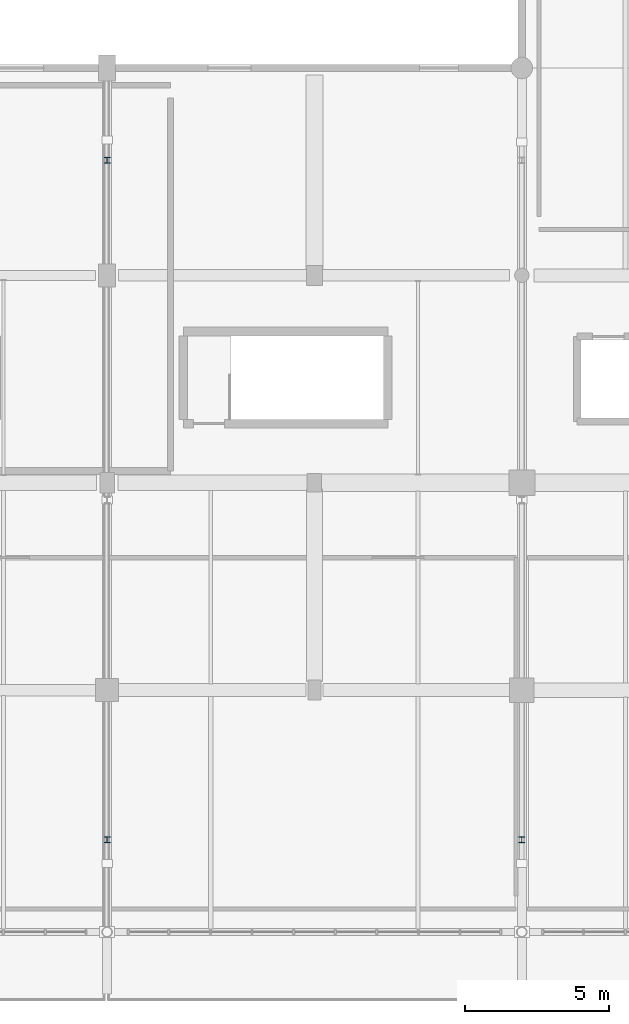
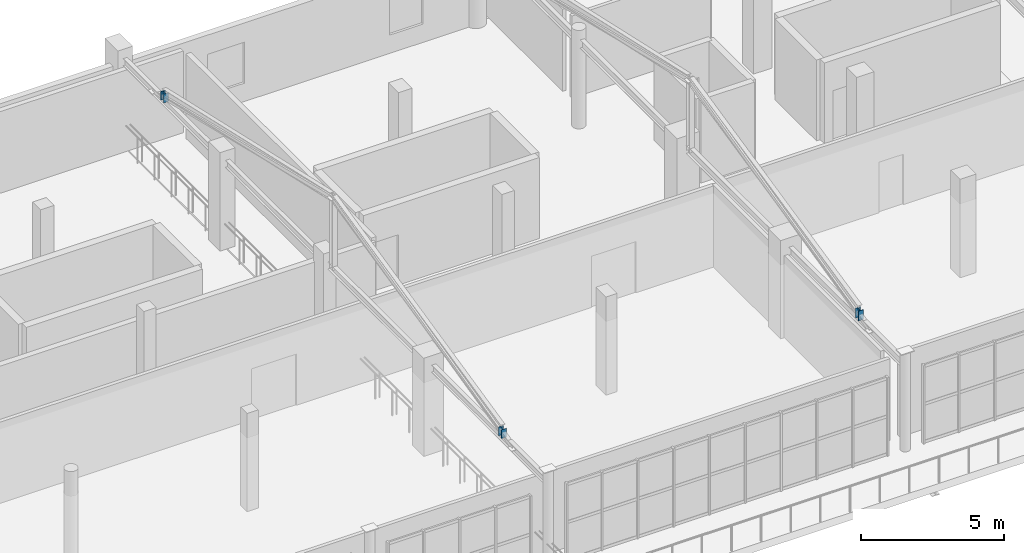
# One storey, part 18 of 41: 3 members.
"""IFC4 building model written with IfcOpenShell, lengths in metres."""

from ifc_helpers import new_model, si_unit, direction, frame, origin, origin_2d, place, context, subcontext, project, spatial, i_section, extrude, material, material_profile, profile_set, type_object, element, save


model = new_model("IFC4")

# Units and contexts
model_context = context("Model", 3, precision=1e-05, world=origin(), true_north=direction((0.0, 1.0)))
body_context = subcontext(model_context, "Body", "Model", "MODEL_VIEW")
ifc_project = project(units=[si_unit("LENGTHUNIT", "METRE"), si_unit("AREAUNIT", "SQUARE_METRE"), si_unit("VOLUMEUNIT", "CUBIC_METRE"), si_unit("PLANEANGLEUNIT", "RADIAN"), si_unit("MASSUNIT", "GRAM", prefix="KILO")], contexts=[model_context])

# Site, building, storey
site_placement = place(None, origin())
site = spatial("IfcSite", under=ifc_project, at=site_placement, CompositionType="ELEMENT")
building_placement = place(site_placement, origin())
building = spatial("IfcBuilding", under=site, at=building_placement, Name="Solanera Park Tramway Depot", CompositionType="ELEMENT")
storey_placement = place(building_placement, frame((0.0, 0.0, 13.199951171875)))
storey = spatial("IfcBuildingStorey", under=building, at=storey_placement, Name="L03", CompositionType="ELEMENT", Elevation=13.199951171875)

# Members
ifc_material = material(Name="Steel AS/NZS 3679.1 Grade 350", Category="steel")
ifc_material_profile = material_profile(ifc_material, i_section(OverallWidth=0.205078125, OverallDepth=0.209716796875, WebThickness=0.00927734375, FlangeThickness=0.01416015625, at=origin_2d()), Name="200UC59.5")
ifc_profile_set = profile_set([ifc_material_profile], Name="Steel AS/NZS 3679.1 Grade 350")
member_type = type_object("IfcMemberType", Name="Roof Gantry Compression Strut 200UC59.5", PredefinedType="STRUT", material=ifc_profile_set)
for number, where, z_axis, x_axis, name in (
    (1, (151.199951171875, 5.60009765625, 3.646484375), (0.0, 0.0, 1.0), (1.0, 0.0, 0.0), "Hip ROOF TRUSS Heel Post #0128"),
    (2, (151.199951171875, 29.199951171875, 3.646484375), (0.0, 0.0, 1.0), (1.0, 0.0, 0.0), "Hip ROOF TRUSS Heel Post #0129"),
):
    element("IfcMember", number, at=place(storey_placement, frame(where, z_axis=z_axis, x_axis=x_axis)), inside=storey, type_object=member_type, Name=name, PredefinedType="STRUT", context=body_context, shape_type="SweptSolid", body=[
        extrude(i_section(OverallWidth=0.205078125, OverallDepth=0.209716796875, WebThickness=0.00927734375, FlangeThickness=0.01416015625, at=origin_2d()), origin(), (0.0, 0.0, 1.0), 0.3671875),
    ])
member_placement = place(storey_placement, frame((165.60009765625, 5.60009765625, 3.622314453125), z_axis=(0.0, 0.0, 1.0), x_axis=(1.0, 0.0, 0.0)))
element("IfcMember", 3, at=member_placement, inside=storey, type_object=member_type, Name="Hip ROOF TRUSS Heel Post #0131", PredefinedType="STRUT", context=body_context, shape_type="SweptSolid", body=[
    extrude(i_section(OverallWidth=0.205078125, OverallDepth=0.209716796875, WebThickness=0.00927734375, FlangeThickness=0.01416015625, at=origin_2d()), origin(), (0.0, 0.0, 1.0), 0.41552734375),
])

save(model, "model.ifc")
